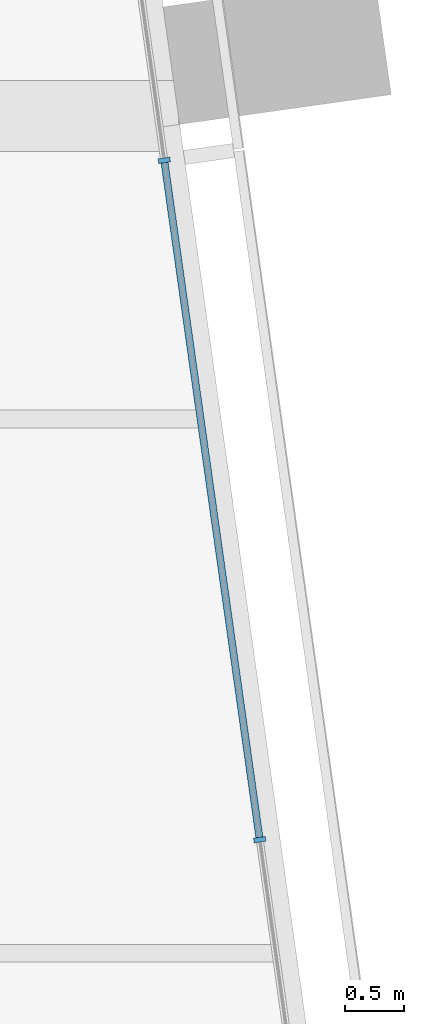
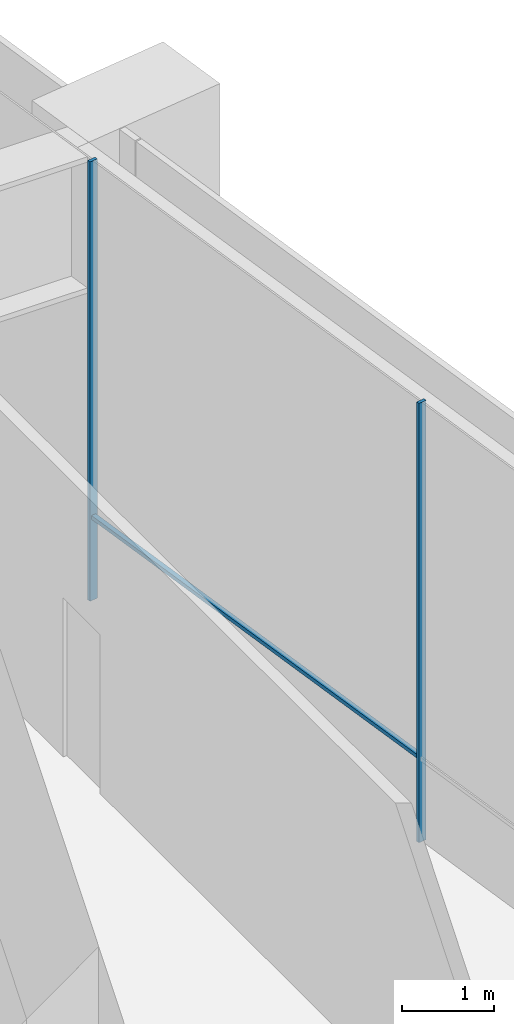
# One storey, part 10 of 25: 3 members, 1 element without a shape of its own.
"""IFC4 building model written with IfcOpenShell, lengths in metres."""

from ifc_helpers import new_model, si_unit, direction, frame, origin, origin_2d, place, context, subcontext, project, spatial, rectangle, extrude, material, layer, layer_set, material_profile, profile_set, type_object, element, aggregate, save


model = new_model("IFC4")

# Units and contexts
model_context = context("Model", 3, precision=1e-05, world=origin(), true_north=direction((0.0, 1.0)))
body_context = subcontext(model_context, "Body", "Model", "MODEL_VIEW")
ifc_project = project(units=[si_unit("LENGTHUNIT", "METRE"), si_unit("AREAUNIT", "SQUARE_METRE"), si_unit("VOLUMEUNIT", "CUBIC_METRE"), si_unit("PLANEANGLEUNIT", "RADIAN"), si_unit("MASSUNIT", "GRAM", prefix="KILO")], contexts=[model_context])

# Site, building, storey
site_placement = place(None, origin())
site = spatial("IfcSite", under=ifc_project, at=site_placement, CompositionType="ELEMENT")
building_placement = place(site_placement, origin())
building = spatial("IfcBuilding", under=site, at=building_placement, Name="Rattan Terrace Tower", CompositionType="ELEMENT")
storey_placement = place(building_placement, frame((0.0, 0.0, 286.300048828125)))
storey = spatial("IfcBuildingStorey", under=building, at=storey_placement, Name="L66", CompositionType="ELEMENT", Elevation=286.300048828125)

# Curtain wall, members
ifc_material_1 = material(Name="Aluminium and structural silicone glass", Category="aluminium")
ifc_layer = layer(ifc_material_1, 0.10009765625)
ifc_layer_set = layer_set([ifc_layer], Name="Observation Structural Silicone Curtain Wall")
curtain_wall_type = type_object("IfcCurtainWallType", Name="Observation Structural Silicone Curtain Wall", PredefinedType="NOTDEFINED", material=ifc_layer_set)
curtain_wall_placement = place(storey_placement, origin())
curtain_wall = element("IfcCurtainWall", 1, at=curtain_wall_placement, inside=storey, type_object=curtain_wall_type, Name="Observation curtain wall L66-6", PredefinedType="NOTDEFINED")
ifc_material_2 = material(Name="Aluminium", Category="aluminium")
ifc_material_profile_1 = material_profile(ifc_material_2, rectangle(XDim=0.0400390625, YDim=0.10009765625, at=origin_2d()), Name="Aluminium 40x100")
ifc_profile_set_1 = profile_set([ifc_material_profile_1], Name="Aluminium")
member_type_1 = type_object("IfcMemberType", Name="Observation CW Mullion 40x100", PredefinedType="MULLION", material=ifc_profile_set_1)
member_1_placement = place(storey_placement, frame((23.794189453125, -3.544189453125, 0.0), z_axis=(0.0, 0.0, 1.0), x_axis=(-0.139191775431, 0.990265444036, 0.0)))
member_1 = element("IfcMember", 2, at=member_1_placement, type_object=member_type_1, Name="Mullion cwl-L66-006.3", PredefinedType="MULLION", context=body_context, shape_type="SweptSolid", body=[
    extrude(rectangle(XDim=0.0400390625, YDim=0.10009765625, at=origin_2d()), origin(), (0.0, 0.0, 1.0), 5.800048828125),
])
member_2_placement = place(storey_placement, frame((22.989990234375, 2.177490234375, 0.0), z_axis=(0.0, 0.0, 1.0), x_axis=(-0.139191775431, 0.990265444036, 0.0)))
member_2 = element("IfcMember", 3, at=member_2_placement, type_object=member_type_1, Name="Mullion cwl-L66-006.4", PredefinedType="MULLION", context=body_context, shape_type="SweptSolid", body=[
    extrude(rectangle(XDim=0.0400390625, YDim=0.10009765625, at=origin_2d()), origin(), (0.0, 0.0, 1.0), 5.800048828125),
])
ifc_material_3 = material(Name="Aluminium", Category="aluminium")
ifc_material_profile_2 = material_profile(ifc_material_3, rectangle(XDim=0.06005859375, YDim=0.050048828125, at=origin_2d()), Name="Aluminium 60x50")
ifc_profile_set_2 = profile_set([ifc_material_profile_2], Name="Aluminium")
member_type_2 = type_object("IfcMemberType", Name="Observation CW Transom 60x50", PredefinedType="USERDEFINED", material=ifc_profile_set_2)
member_3_placement = place(storey_placement, frame((23.791259765625, -3.5244140625, 1.099853515625), z_axis=(-0.139175296196, 0.990267760219, 0.0), x_axis=(-0.990267760219, -0.139175296196, 0.0)))
member_3 = element("IfcMember", 4, at=member_3_placement, type_object=member_type_2, Name="Transom cwl-L66-006.3", ObjectType="TRANSOM", PredefinedType="USERDEFINED", context=body_context, shape_type="SweptSolid", body=[
    extrude(rectangle(XDim=0.06005859375, YDim=0.050048828125, at=origin_2d()), origin(), (0.0, 0.0, 1.0), 5.738037109375),
])
aggregate(curtain_wall, [member_1, member_2, member_3])

save(model, "model.ifc")
